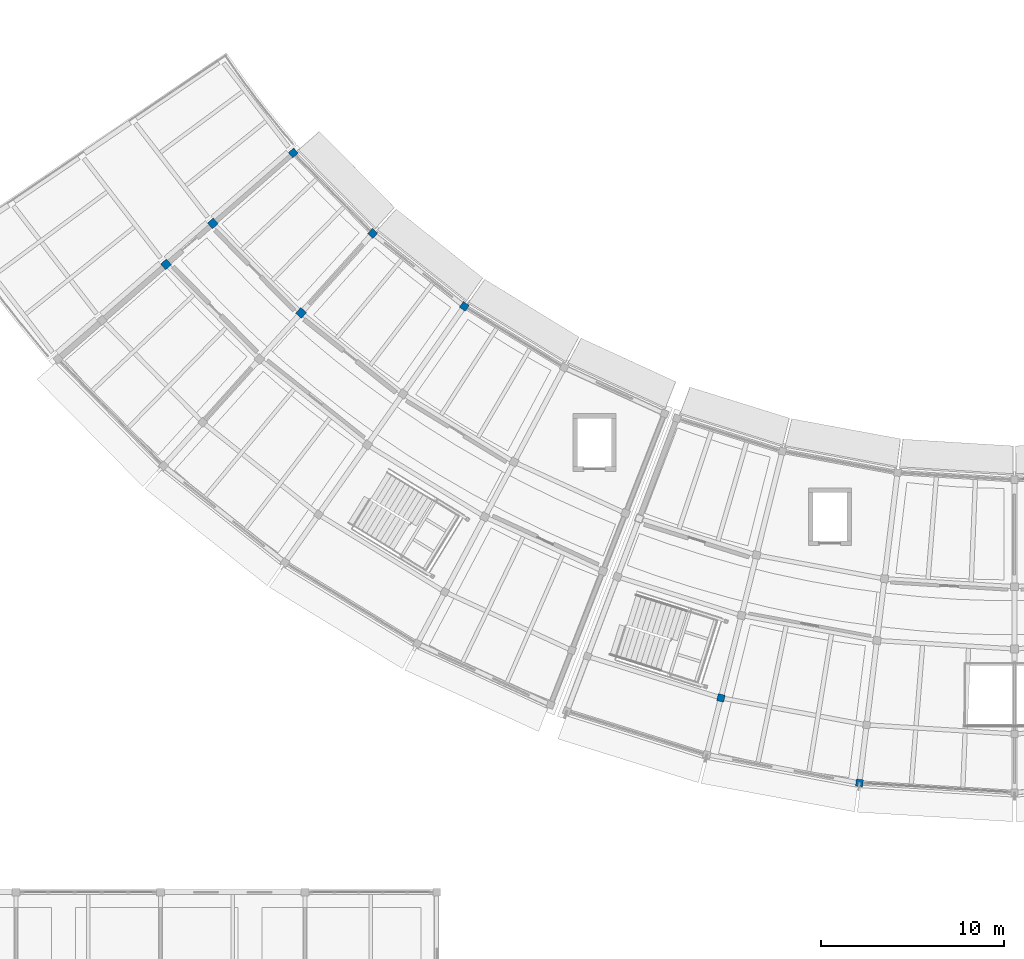
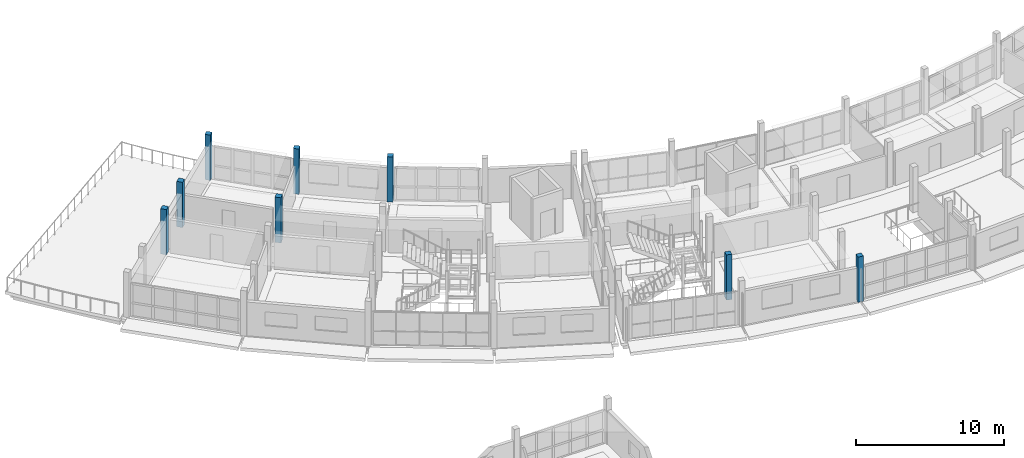
# One storey, part 5 of 66: 8 columns.
"""IFC4 building model written with IfcOpenShell, lengths in metres."""

from ifc_helpers import new_model, si_unit, direction, frame, origin, origin_2d, place, context, subcontext, project, spatial, rectangle, extrude, material, material_profile, profile_set, type_object, element, save


model = new_model("IFC4")

# Units and contexts
model_context = context("Model", 3, precision=1e-05, world=origin(), true_north=direction((0.0, 1.0)))
body_context = subcontext(model_context, "Body", "Model", "MODEL_VIEW")
ifc_project = project(units=[si_unit("LENGTHUNIT", "METRE"), si_unit("AREAUNIT", "SQUARE_METRE"), si_unit("VOLUMEUNIT", "CUBIC_METRE"), si_unit("PLANEANGLEUNIT", "RADIAN"), si_unit("MASSUNIT", "GRAM", prefix="KILO")], contexts=[model_context])

# Site, building, storey
site_placement = place(None, origin())
site = spatial("IfcSite", under=ifc_project, at=site_placement, CompositionType="ELEMENT")
building_placement = place(site_placement, origin())
building = spatial("IfcBuilding", under=site, at=building_placement, Name="Caldaven Crescent School", CompositionType="ELEMENT")
storey_placement = place(building_placement, frame((0.0, 0.0, 8.159912109375)))
storey = spatial("IfcBuildingStorey", under=building, at=storey_placement, Name="L02", CompositionType="ELEMENT", Elevation=8.159912109375)

# Columns
ifc_material = material(Name="Glulam MLE24h (GL28h)", Category="wood")
ifc_material_profile_1 = material_profile(ifc_material, rectangle(XDim=0.389892578125, YDim=0.389892578125, at=origin_2d()), Name="MLE 390x390")
ifc_profile_set_1 = profile_set([ifc_material_profile_1], Name="Glulam MLE24h (GL28h)")
column_type_1 = type_object("IfcColumnType", Name="COL-GL39", PredefinedType="COLUMN", material=ifc_profile_set_1)
for number, where, z_axis, x_axis, name in (
    (1, (48.556884765625, 61.427734375, 0.0), (0.0, 0.0, 1.0), (-0.752069916777, -0.659083333334, 0.0), "COL-V4W-L02-00-0"),
    (2, (52.904052734375, 57.02197265625, 0.0), (0.0, 0.0, 1.0), (-0.669130606359, -0.743144825477, 0.0), "COL-V4W-L02-01-0"),
    (3, (57.916015625, 53.035400390625, 0.0), (0.0, 0.0, 1.0), (-0.573576436351, -0.819152044289, 0.0), "COL-V4W-L02-02-0"),
    (4, (71.948486328125, 31.620849609375, 0.0), (0.0, 0.0, 1.0), (-0.2419218956, -0.970295726276, 0.0), "COL-V5-L02-01-3"),
    (5, (79.52392578125, 26.968505859375, 0.0), (0.0, 0.0, 1.0), (-0.121869343405, -0.992546151641, 0.0), "COL-V5-L02-02-4"),
):
    element("IfcColumn", number, at=place(storey_placement, frame(where, z_axis=z_axis, x_axis=x_axis)), inside=storey, type_object=column_type_1, Name=name, PredefinedType="COLUMN", context=body_context, shape_type="SweptSolid", body=[
        extrude(rectangle(XDim=0.389892578125, YDim=0.389892578125, at=origin_2d()), origin(), (0.0, 0.0, 1.0), 3.739990234375),
    ])
ifc_material_profile_2 = material_profile(ifc_material, rectangle(XDim=0.419921875, YDim=0.419921875, at=origin_2d()), Name="MLE 420x420")
ifc_profile_set_2 = profile_set([ifc_material_profile_2], Name="Glulam MLE24h (GL28h)")
column_type_2 = type_object("IfcColumnType", Name="COL-GL42", PredefinedType="COLUMN", material=ifc_profile_set_2)
for number, where, z_axis, x_axis, name in (
    (6, (44.157470703125, 57.57177734375, 0.0), (0.0, 0.0, 1.0), (-0.752069916777, -0.659083333334, 0.0), "COL-V4W-L02-00-1"),
    (7, (41.6005859375, 55.33056640625, 0.0), (0.0, 0.0, 1.0), (-0.752069916777, -0.659083333334, 0.0), "COL-V4W-L02-00-2"),
    (8, (48.98974609375, 52.674560546875, 0.0), (0.0, 0.0, 1.0), (-0.669130606359, -0.743144825477, 0.0), "COL-V4W-L02-01-1"),
):
    element("IfcColumn", number, at=place(storey_placement, frame(where, z_axis=z_axis, x_axis=x_axis)), inside=storey, type_object=column_type_2, Name=name, PredefinedType="COLUMN", context=body_context, shape_type="SweptSolid", body=[
        extrude(rectangle(XDim=0.419921875, YDim=0.419921875, at=origin_2d()), origin(), (0.0, 0.0, 1.0), 3.739990234375),
    ])

save(model, "model.ifc")
